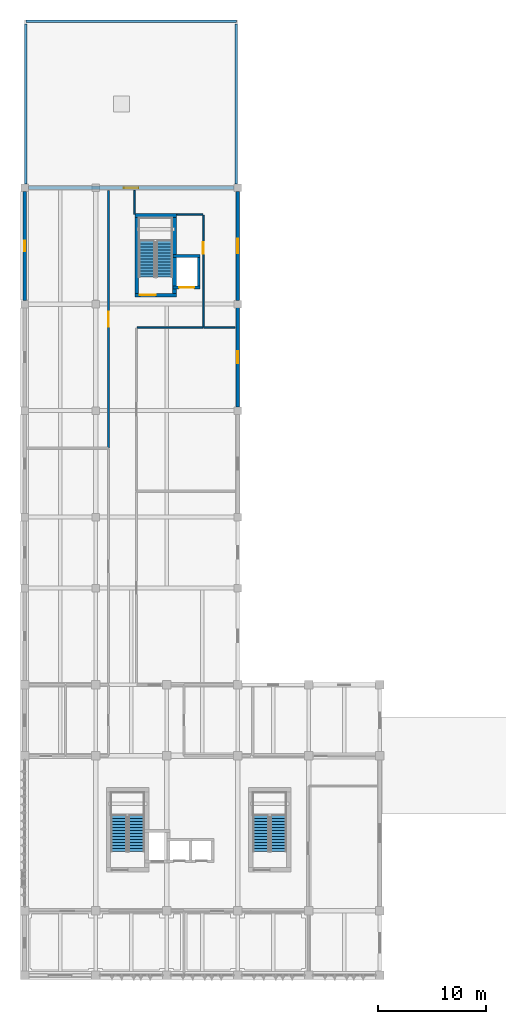
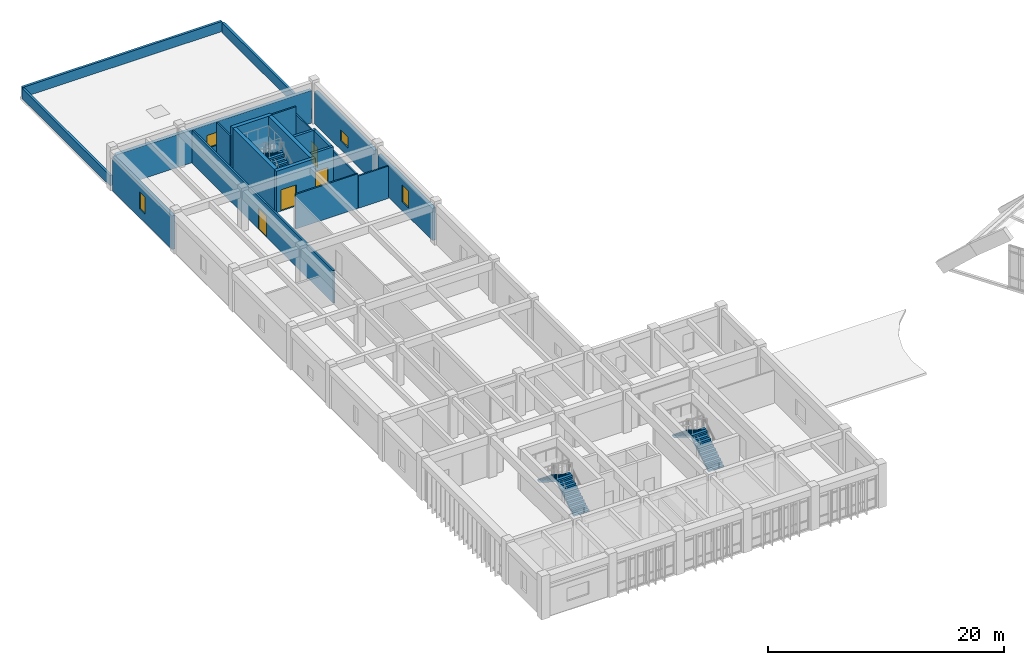
# One storey, part 31 of 34: 20 walls, 6 stair flights, 4 doors, 4 windows, 8 openings, 3 elements without a shape of their own.
"""IFC4 building model written with IfcOpenShell, lengths in metres."""

import ifcopenshell
import ifcopenshell.guid

model = None  # the IFC model being written
_history = None  # IfcOwnerHistory: only IFC2X3 demands one
_inside = {}  # id of a spatial element -> (the spatial element, [elements in it])
_under = {}  # id of a project, library or spatial element -> (it, [spatial elements below it])
_declared = {}  # id of a project -> (the project, [libraries it declares])
_typed = {}  # id of a type object -> (the type object, [elements of that type])
_made_of = {}  # id of a material, layer set ... -> (it, [elements and type objects made of it])


def new_model(schema):
    """Start an empty IFC model of exactly this schema.

    Asked for "IFC4X3", IfcOpenShell would pick the latest addendum, in which some entities
    have other attributes; the version numbers below select the first issue.
    IFC2X3 requires an IfcOwnerHistory on every rooted entity: one is made here for all.
    """
    global model, _history
    if schema == "IFC4X3":
        model = ifcopenshell.file(schema_version=(4, 3, 0, 0))
    else:
        model = ifcopenshell.file(schema=schema)
    _inside.clear()
    _under.clear()
    _declared.clear()
    _typed.clear()
    _made_of.clear()
    _history = None
    if model.schema == "IFC2X3":
        org = make("IfcOrganization", Name="unknown")
        user = make(
            "IfcPersonAndOrganization",
            ThePerson=make("IfcPerson", FamilyName="unknown"),
            TheOrganization=org,
        )
        app = make(
            "IfcApplication",
            ApplicationDeveloper=org,
            Version="unknown",
            ApplicationFullName="unknown",
            ApplicationIdentifier="unknown",
        )
        _history = make(
            "IfcOwnerHistory",
            OwningUser=user,
            OwningApplication=app,
            ChangeAction="ADDED",
            CreationDate=0,
        )
    return model


def make(cls, **values):
    """One entity of the class cls with the attributes given. An attribute that is None is left unset."""
    return model.create_entity(
        cls, **{name: value for name, value in values.items() if value is not None}
    )


def rooted(cls, **values):
    """An entity with a GlobalId (a new one), such as an element, a storey or a relation."""
    return make(cls, GlobalId=ifcopenshell.guid.new(), OwnerHistory=_history, **values)


def si_unit(unit_type, name, prefix=None):
    """IfcSIUnit, for example si_unit("LENGTHUNIT", "METRE", prefix="MILLI")."""
    return make("IfcSIUnit", UnitType=unit_type, Prefix=prefix, Name=name)


def assignment(units):
    """IfcUnitAssignment: the units of a project."""
    return None if units is None else make("IfcUnitAssignment", Units=units)


def point(xyz):
    """IfcCartesianPoint."""
    return None if xyz is None else make("IfcCartesianPoint", Coordinates=xyz)


def direction(xyz):
    """IfcDirection."""
    return None if xyz is None else make("IfcDirection", DirectionRatios=xyz)


def frame(location, z_axis=None, x_axis=None):
    """IfcAxis2Placement3D, a coordinate frame: its origin and axes. An axis left out is left unset."""
    return make(
        "IfcAxis2Placement3D",
        Location=point(location),
        Axis=direction(z_axis),
        RefDirection=direction(x_axis),
    )


def frame_2d(location, x_axis=None):
    """IfcAxis2Placement2D, a coordinate frame in the plane: its origin and x axis."""
    return make(
        "IfcAxis2Placement2D", Location=point(location), RefDirection=direction(x_axis)
    )


def origin():
    """The frame at (0, 0, 0) with its axes left unset."""
    return frame((0.0, 0.0, 0.0))


def place(relative_to, where):
    """IfcLocalPlacement: puts the frame where relative to a parent placement (None: the world)."""
    return make(
        "IfcLocalPlacement", PlacementRelTo=relative_to, RelativePlacement=where
    )


def context(
    kind, dimensions, precision=None, world=None, true_north=None, identifier=None
):
    """IfcGeometricRepresentationContext, for example the 3D "Model" context."""
    return make(
        "IfcGeometricRepresentationContext",
        ContextIdentifier=identifier,
        ContextType=kind,
        CoordinateSpaceDimension=dimensions,
        Precision=precision,
        WorldCoordinateSystem=world,
        TrueNorth=true_north,
    )


def subcontext(parent, identifier, kind, view, scale=None):
    """IfcGeometricRepresentationSubContext, for example "Body" below "Model"."""
    return make(
        "IfcGeometricRepresentationSubContext",
        ContextIdentifier=identifier,
        ContextType=kind,
        ParentContext=parent,
        TargetScale=scale,
        TargetView=view,
    )


def project(units=None, contexts=None):
    """IfcProject with its units and contexts."""
    return rooted(
        "IfcProject",
        Name="project",
        RepresentationContexts=contexts,
        UnitsInContext=assignment(units),
    )


def spatial(cls, under=None, at=None, **own):
    """A site, building, storey or space (cls), placed at a placement, below another one or the project."""
    s = rooted(cls, ObjectPlacement=at, **own)
    if under is not None:
        _under.setdefault(under.id(), (under, []))[1].append(s)
    return s


def polyline(points):
    """IfcPolyline through the points."""
    return make("IfcPolyline", Points=[point(p) for p in points])


def profile(cls, at=None, kind="AREA", **sizes):
    """A parametric profile (cls). Its sizes go by their IFC names, for example OverallWidth=200.0."""
    return make(cls, ProfileType=kind, Position=at, **sizes)


def rectangle(**sizes):
    """IfcRectangleProfileDef."""
    return profile("IfcRectangleProfileDef", **sizes)


def outline(outer, holes=None, kind="AREA"):
    """IfcArbitraryClosedProfileDef: a profile drawn as a closed curve; with holes, ...WithVoids."""
    if holes is None:
        return make("IfcArbitraryClosedProfileDef", ProfileType=kind, OuterCurve=outer)
    return make(
        "IfcArbitraryProfileDefWithVoids",
        ProfileType=kind,
        OuterCurve=outer,
        InnerCurves=holes,
    )


def extrude(swept, where, along, depth):
    """IfcExtrudedAreaSolid: the profile swept, set in the frame where, extruded along a direction by depth."""
    return make(
        "IfcExtrudedAreaSolid",
        SweptArea=swept,
        Position=where,
        ExtrudedDirection=direction(along),
        Depth=depth,
    )


def shape(context_of_items, identifier, shape_type, items):
    """IfcShapeRepresentation: the items that make up one representation, for example the "Body"."""
    return make(
        "IfcShapeRepresentation",
        ContextOfItems=context_of_items,
        RepresentationIdentifier=identifier,
        RepresentationType=shape_type,
        Items=items,
    )


def material(Name=None, Category=None):
    """IfcMaterial."""
    return make("IfcMaterial", Name=Name, Category=Category)


def layer(
    of_material, thickness, ventilated=None, Name=None, Category=None, Priority=None
):
    """IfcMaterialLayer: one layer of a wall or slab, of a material (None: an air gap)."""
    return make(
        "IfcMaterialLayer",
        Material=of_material,
        LayerThickness=thickness,
        IsVentilated=ventilated,
        Name=Name,
        Category=Category,
        Priority=Priority,
    )


def layer_set(layers, Name=None):
    """IfcMaterialLayerSet."""
    return make("IfcMaterialLayerSet", MaterialLayers=layers, LayerSetName=Name)


def made_of(thing, what):
    """Note that an element or type object is made of a material, layer set ...; save() writes the relation."""
    if what is not None:
        _made_of.setdefault(what.id(), (what, []))[1].append(thing)
    return thing


def type_object(cls, material=None, **own):
    """A type object (cls), such as IfcWallType, which elements share."""
    return made_of(rooted(cls, **own), material)


def element(
    cls,
    number,
    at=None,
    inside=None,
    cuts=None,
    type_object=None,
    material=None,
    context=None,
    identifier="Body",
    shape_type=None,
    held_by="IfcProductDefinitionShape",
    body=None,
    shapes=None,
    **own,
):
    """One element of the class cls, such as IfcWall. Its Tag is "e" and its number.

    at: its placement. inside: the storey or other place that contains it. cuts: it is an
    opening in that element (IfcRelVoidsElement). A single representation is given by context,
    identifier, shape_type and body (its items); several are given by shapes. held_by: the class
    of the entity that holds the representations. save() writes the other relations.
    """
    e = rooted(cls, Tag="e%d" % number, ObjectPlacement=at, **own)
    if body is not None:
        shapes = [shape(context, identifier, shape_type, body)]
    if shapes is not None:
        e.Representation = make(held_by, Representations=shapes)
    if inside is not None:
        _inside.setdefault(inside.id(), (inside, []))[1].append(e)
    if cuts is not None:
        rooted(
            "IfcRelVoidsElement", RelatingBuildingElement=cuts, RelatedOpeningElement=e
        )
    if type_object is not None:
        _typed.setdefault(type_object.id(), (type_object, []))[1].append(e)
    return made_of(e, material)


def fill(opening, filler):
    """IfcRelFillsElement: the door or window that sits in an opening."""
    return rooted(
        "IfcRelFillsElement",
        RelatingOpeningElement=opening,
        RelatedBuildingElement=filler,
    )


def aggregate(whole, parts):
    """IfcRelAggregates: a whole, such as a stair, and the parts it consists of."""
    return rooted("IfcRelAggregates", RelatingObject=whole, RelatedObjects=parts)


def save(model, path):
    """Write the relations noted so far, then the file.

    IfcRelAggregates (storeys below a building ...), IfcRelContainedInSpatialStructure (elements
    in a storey), IfcRelDefinesByType, IfcRelAssociatesMaterial and IfcRelDeclares: one each for
    every whole, place, type object, material and project.
    """
    for whole, parts in _under.values():
        aggregate(whole, parts)
    for where, things in _inside.values():
        rooted(
            "IfcRelContainedInSpatialStructure",
            RelatedElements=things,
            RelatingStructure=where,
        )
    for kind, things in _typed.values():
        rooted("IfcRelDefinesByType", RelatedObjects=things, RelatingType=kind)
    for what, things in _made_of.values():
        rooted("IfcRelAssociatesMaterial", RelatedObjects=things, RelatingMaterial=what)
    for by, libraries in _declared.values():
        rooted("IfcRelDeclares", RelatingContext=by, RelatedDefinitions=libraries)
    model.write(path)


model = new_model("IFC4")

# Units and contexts
model_context = context("Model", 3, precision=1e-05, world=origin(), true_north=direction((0.0, 1.0)))
body_context = subcontext(model_context, "Body", "Model", "MODEL_VIEW")
ifc_project = project(units=[si_unit("LENGTHUNIT", "METRE"), si_unit("AREAUNIT", "SQUARE_METRE"), si_unit("VOLUMEUNIT", "CUBIC_METRE"), si_unit("PLANEANGLEUNIT", "RADIAN"), si_unit("MASSUNIT", "GRAM", prefix="KILO")], contexts=[model_context])

# Site, building, storey
site_placement = place(None, origin())
site = spatial("IfcSite", under=ifc_project, at=site_placement, CompositionType="ELEMENT")
building_placement = place(site_placement, origin())
building = spatial("IfcBuilding", under=site, at=building_placement, Name="Miralva Faculty of Natural Sciences", CompositionType="ELEMENT")
storey_placement = place(building_placement, frame((0.0, 0.0, 24.0)))
storey = spatial("IfcBuildingStorey", under=building, at=storey_placement, Name="L05", CompositionType="ELEMENT", Elevation=24.0)

# Wall, opening, door
ifc_material_1 = material(Name="Concrete C50/60", Category="concrete")
ifc_layer_1 = layer(ifc_material_1, 0.35009765625, Name="WL-CW02")
ifc_layer_set_1 = layer_set([ifc_layer_1], Name="Concrete C50/60")
wall_type_1 = type_object("IfcWallType", Name="WL-CW02", PredefinedType="SHEAR", material=ifc_layer_set_1)
wall_1_placement = place(storey_placement, frame((13.25, 66.22509765625, 0.0), z_axis=(0.0, 0.0, 1.0), x_axis=(1.0, 0.0, 0.0)))
wall_1 = element("IfcWall", 1, at=wall_1_placement, inside=storey, type_object=wall_type_1, Name="Core C2 shear wall south L05", PredefinedType="SHEAR", context=body_context, shape_type="SweptSolid", body=[
    extrude(rectangle(XDim=3.85009765625, YDim=0.35009765625, at=frame_2d((1.925048828125, 0.0))), origin(), (0.0, 0.0, 1.0), 4.280029296875),
])
opening_1_placement = place(wall_1_placement, frame((0.449951171875, 0.0, 0.0)))
opening_1 = element("IfcOpeningElement", 2, at=opening_1_placement, cuts=wall_1, Name="Opening D-11", PredefinedType="OPENING", context=body_context, shape_type="SweptSolid", body=[
    extrude(rectangle(XDim=1.5, YDim=2.199951171875, at=frame_2d((0.75, 1.10009765625))), frame((0.0, 0.18505859375, 0.0), z_axis=(0.0, -1.0, 0.0), x_axis=(1.0, 0.0, 0.0)), (0.0, 0.0, 1.0), 0.3701171875),
])
ifc_material_2 = material(Name="Galvanised steel", Category="steel")
door_type_1 = type_object("IfcDoorType", Name="DR-DI11", OperationType="DOUBLE_DOOR_SINGLE_SWING", PredefinedType="DOOR", material=ifc_material_2)
door_1_placement = place(opening_1_placement, frame((1.5, 0.0, 0.0), z_axis=(0.0, 0.0, 1.0), x_axis=(-1.0, 0.0, 0.0)))
door_1 = element("IfcDoor", 3, at=door_1_placement, inside=storey, type_object=door_type_1, Name="Protected exit stair door Core C2 L05", OperationType="DOUBLE_DOOR_SINGLE_SWING", OverallHeight=2.199951171875, OverallWidth=1.5, PredefinedType="DOOR", context=body_context, shape_type="SweptSolid", body=[
    extrude(rectangle(XDim=1.5, YDim=2.199951171875, at=frame_2d((0.75, 1.10009765625))), frame((0.0, 0.02490234375, 0.0), z_axis=(0.0, -1.0, 0.0), x_axis=(1.0, 0.0, 0.0)), (0.0, 0.0, 1.0), 0.050048828125),
])
fill(opening_1, door_1)

# Walls
wall_2_placement = place(storey_placement, frame((13.25, 73.625, 0.0), z_axis=(0.0, 0.0, 1.0), x_axis=(1.0, 0.0, 0.0)))
element("IfcWall", 4, at=wall_2_placement, inside=storey, type_object=wall_type_1, Name="Core C2 shear wall north L05", PredefinedType="SHEAR", context=body_context, shape_type="SweptSolid", body=[
    extrude(rectangle(XDim=3.85009765625, YDim=0.35009765625, at=frame_2d((1.925048828125, 0.0))), origin(), (0.0, 0.0, 1.0), 4.280029296875),
])
for number, where, z_axis, x_axis, name in (
    (5, (13.425048828125, 66.39990234375, 0.0), (0.0, 0.0, 1.0), (0.0, 1.0, 0.0), "Core C2 shear wall west L05"),
    (6, (16.925048828125, 66.39990234375, 0.0), (0.0, 0.0, 1.0), (0.0, 1.0, 0.0), "Core C2 shear wall east L05"),
):
    element("IfcWall", number, at=place(storey_placement, frame(where, z_axis=z_axis, x_axis=x_axis)), inside=storey, type_object=wall_type_1, Name=name, PredefinedType="SHEAR", context=body_context, shape_type="SweptSolid", body=[
        extrude(rectangle(XDim=7.050048828125, YDim=0.35009765625, at=frame_2d((3.52490234375, 0.0))), origin(), (0.0, 0.0, 1.0), 4.280029296875),
    ])

# Wall, opening, door
ifc_material_3 = material(Name="Concrete C40/50", Category="concrete")
ifc_layer_2 = layer(ifc_material_3, 0.25, Name="WL-CW04")
ifc_layer_set_2 = layer_set([ifc_layer_2], Name="Concrete C40/50")
wall_type_2 = type_object("IfcWallType", Name="WL-CW04", PredefinedType="SHEAR", material=ifc_layer_set_2)
wall_3_placement = place(storey_placement, frame((16.804931640625, 66.929931640625, 0.0), z_axis=(0.0, 0.0, 1.0), x_axis=(1.0, 0.0, 0.0)))
wall_3 = element("IfcWall", 7, at=wall_3_placement, inside=storey, type_object=wall_type_2, Name="Lift L-04 hoistway front wall L05", PredefinedType="SHEAR", context=body_context, shape_type="SweptSolid", body=[
    extrude(rectangle(XDim=2.489990234375, YDim=0.25, at=frame_2d((1.2451171875, 0.0))), origin(), (0.0, 0.0, 1.0), 4.260009765625),
])
opening_2_placement = place(wall_3_placement, frame((0.544921875, 0.0, 0.0)))
opening_2 = element("IfcOpeningElement", 8, at=opening_2_placement, cuts=wall_3, Name="Opening LD-04", PredefinedType="OPENING", context=body_context, shape_type="SweptSolid", body=[
    extrude(rectangle(XDim=1.39990234375, YDim=2.300048828125, at=frame_2d((0.699951171875, 1.14990234375))), frame((0.0, 0.135009765625, 0.0), z_axis=(0.0, -1.0, 0.0), x_axis=(1.0, 0.0, 0.0)), (0.0, 0.0, 1.0), 0.27001953125),
])
door_type_2 = type_object("IfcDoorType", Name="DR-LD04", OperationType="DOUBLE_DOOR_SLIDING", PredefinedType="DOOR", material=ifc_material_2)
door_2_placement = place(opening_2_placement, frame((1.39990234375, 0.0, 0.0), z_axis=(0.0, 0.0, 1.0), x_axis=(-1.0, 0.0, 0.0)))
door_2 = element("IfcDoor", 9, at=door_2_placement, inside=storey, type_object=door_type_2, Name="Lift L-04 sliding landing door L05", OperationType="DOUBLE_DOOR_SLIDING", OverallHeight=2.300048828125, OverallWidth=1.39990234375, PredefinedType="DOOR", context=body_context, shape_type="SweptSolid", body=[
    extrude(rectangle(XDim=1.39990234375, YDim=2.300048828125, at=frame_2d((0.699951171875, 1.14990234375))), frame((0.0, 0.02490234375, 0.0), z_axis=(0.0, -1.0, 0.0), x_axis=(1.0, 0.0, 0.0)), (0.0, 0.0, 1.0), 0.050048828125),
])
fill(opening_2, door_2)

# Walls
wall_4_placement = place(storey_placement, frame((16.804931640625, 69.8701171875, 0.0), z_axis=(0.0, 0.0, 1.0), x_axis=(1.0, 0.0, 0.0)))
element("IfcWall", 10, at=wall_4_placement, inside=storey, type_object=wall_type_2, Name="Lift L-04 hoistway rear wall L05", PredefinedType="SHEAR", context=body_context, shape_type="SweptSolid", body=[
    extrude(rectangle(XDim=2.489990234375, YDim=0.25, at=frame_2d((1.2451171875, 0.0))), origin(), (0.0, 0.0, 1.0), 4.260009765625),
])
wall_5_placement = place(storey_placement, frame((19.169921875, 67.054931640625, 0.0), z_axis=(0.0, 0.0, 1.0), x_axis=(0.0, 1.0, 0.0)))
element("IfcWall", 11, at=wall_5_placement, inside=storey, type_object=wall_type_2, Name="Lift L-04 hoistway E wall L05", PredefinedType="SHEAR", context=body_context, shape_type="SweptSolid", body=[
    extrude(rectangle(XDim=2.690185546875, YDim=0.25, at=frame_2d((1.34521484375, 0.0))), origin(), (0.0, 0.0, 1.0), 4.260009765625),
])
ifc_material_4 = material(Name="Precast concrete C40/50", Category="concrete")
ifc_layer_3 = layer(ifc_material_4, 0.22998046875, Name="WL-PA01")
ifc_layer_set_3 = layer_set([ifc_layer_3], Name="Precast concrete C40/50")
wall_type_3 = type_object("IfcWallType", Name="WL-PA01", PredefinedType="PARAPET", material=ifc_layer_set_3)
wall_6_placement = place(storey_placement, frame((3.1201171875, 76.550048828125, 0.0), z_axis=(0.0, 0.0, 1.0), x_axis=(0.0, 1.0, 0.0)))
element("IfcWall", 12, at=wall_6_placement, inside=storey, type_object=wall_type_3, Name="Roof parapet L05-10", PredefinedType="PARAPET", context=body_context, shape_type="SweptSolid", body=[
    extrude(rectangle(XDim=14.89990234375, YDim=0.22998046875, at=frame_2d((7.449951171875, 0.0))), origin(), (0.0, 0.0, 1.0), 1.050048828125),
])
wall_7_placement = place(storey_placement, frame((3.1201171875, 91.679931640625, 0.0), z_axis=(0.0, 0.0, 1.0), x_axis=(1.0, 0.0, 0.0)))
element("IfcWall", 13, at=wall_7_placement, inside=storey, type_object=wall_type_3, Name="Roof parapet L05-11", PredefinedType="PARAPET", context=body_context, shape_type="SweptSolid", body=[
    extrude(rectangle(XDim=19.559814453125, YDim=0.22998046875, at=frame_2d((9.77978515625, 0.0))), origin(), (0.0, 0.0, 1.0), 1.050048828125),
])
wall_8_placement = place(storey_placement, frame((22.679931640625, 76.550048828125, 0.0), z_axis=(0.0, 0.0, 1.0), x_axis=(0.0, 1.0, 0.0)))
element("IfcWall", 14, at=wall_8_placement, inside=storey, type_object=wall_type_3, Name="Roof parapet L05-12", PredefinedType="PARAPET", context=body_context, shape_type="SweptSolid", body=[
    extrude(rectangle(XDim=14.89990234375, YDim=0.22998046875, at=frame_2d((7.449951171875, 0.0))), origin(), (0.0, 0.0, 1.0), 1.050048828125),
])

# Wall, opening, door
ifc_material_5 = material(Name="Gypsum plasterboard")
ifc_layer_4 = layer(ifc_material_5, 0.179931640625, Name="WL-PT02")
ifc_layer_set_4 = layer_set([ifc_layer_4], Name="Gypsum plasterboard")
wall_type_4 = type_object("IfcWallType", Name="WL-PT02", PredefinedType="PARTITIONING", material=ifc_layer_set_4)
wall_9_placement = place(storey_placement, frame((10.800048828125, 52.030029296875, 0.0), z_axis=(0.0, 0.0, 1.0), x_axis=(0.0, 1.0, 0.0)))
wall_9 = element("IfcWall", 15, at=wall_9_placement, inside=storey, type_object=wall_type_4, Name="Interior partition PT-02 L05-481", PredefinedType="PARTITIONING", context=body_context, shape_type="SweptSolid", body=[
    extrude(rectangle(XDim=23.93994140625, YDim=0.179931640625, at=frame_2d((11.969970703125, 0.0))), origin(), (0.0, 0.0, 1.0), 3.39501953125),
])
opening_3_placement = place(wall_9_placement, frame((11.27001953125, 0.0, 0.0)))
opening_3 = element("IfcOpeningElement", 16, at=opening_3_placement, cuts=wall_9, Name="Opening D-14", PredefinedType="OPENING", context=body_context, shape_type="SweptSolid", body=[
    extrude(rectangle(XDim=1.39990234375, YDim=2.199951171875, at=frame_2d((0.699951171875, 1.10009765625))), frame((0.0, 0.099853515625, 0.0), z_axis=(0.0, -1.0, 0.0), x_axis=(1.0, 0.0, 0.0)), (0.0, 0.0, 1.0), 0.199951171875),
])
door_type_3 = type_object("IfcDoorType", Name="DR-DI14", OperationType="DOUBLE_DOOR_SINGLE_SWING", PredefinedType="DOOR", material=ifc_material_2)
door_3_placement = place(opening_3_placement, origin())
door_3 = element("IfcDoor", 17, at=door_3_placement, inside=storey, type_object=door_type_3, Name="Interior door D-14 L05-178", OperationType="DOUBLE_DOOR_SINGLE_SWING", OverallHeight=2.199951171875, OverallWidth=1.39990234375, PredefinedType="DOOR", context=body_context, shape_type="SweptSolid", body=[
    extrude(rectangle(XDim=1.39990234375, YDim=2.199951171875, at=frame_2d((0.699951171875, 1.10009765625))), frame((0.0, 0.02490234375, 0.0), z_axis=(0.0, -1.0, 0.0), x_axis=(1.0, 0.0, 0.0)), (0.0, 0.0, 1.0), 0.050048828125),
])
fill(opening_3, door_3)

# Walls
ifc_layer_5 = layer(ifc_material_5, 0.139892578125, Name="WL-PT04")
ifc_layer_set_5 = layer_set([ifc_layer_5], Name="Gypsum plasterboard")
wall_type_5 = type_object("IfcWallType", Name="WL-PT04", PredefinedType="PARTITIONING", material=ifc_layer_set_5)
wall_10_placement = place(storey_placement, frame((19.6298828125, 63.199951171875, 0.0), z_axis=(0.0, 0.0, 1.0), x_axis=(1.0, 0.0, 0.0)))
element("IfcWall", 18, at=wall_10_placement, inside=storey, type_object=wall_type_5, Name="Interior partition PT-04 L05-482", PredefinedType="PARTITIONING", context=body_context, shape_type="SweptSolid", body=[
    extrude(rectangle(XDim=2.940185546875, YDim=0.139892578125, at=frame_2d((1.47021484375, 0.0))), origin(), (0.0, 0.0, 1.0), 3.344970703125),
])
wall_11_placement = place(storey_placement, frame((13.455078125, 63.199951171875, 0.0), z_axis=(0.0, 0.0, 1.0), x_axis=(1.0, 0.0, 0.0)))
element("IfcWall", 19, at=wall_11_placement, inside=storey, type_object=wall_type_5, Name="Interior partition PT-04 L05-484", PredefinedType="PARTITIONING", context=body_context, shape_type="SweptSolid", body=[
    extrude(rectangle(XDim=6.114990234375, YDim=0.139892578125, at=frame_2d((3.0576171875, 0.0))), origin(), (0.0, 0.0, 1.0), 3.594970703125),
])
wall_12_placement = place(storey_placement, frame((13.199951171875, 73.72998046875, 0.0), z_axis=(0.0, 0.0, 1.0), x_axis=(0.0, 1.0, 0.0)))
element("IfcWall", 20, at=wall_12_placement, inside=storey, type_object=wall_type_5, Name="Interior partition PT-04 L05-485", PredefinedType="PARTITIONING", context=body_context, shape_type="SweptSolid", body=[
    extrude(rectangle(XDim=2.239990234375, YDim=0.139892578125, at=frame_2d((1.1201171875, 0.0))), origin(), (0.0, 0.0, 1.0), 3.39501953125),
])

# Wall, opening, door
wall_13_placement = place(storey_placement, frame((19.60009765625, 63.22998046875, 0.0), z_axis=(0.0, 0.0, 1.0), x_axis=(0.0, 1.0, 0.0)))
wall_13 = element("IfcWall", 21, at=wall_13_placement, inside=storey, type_object=wall_type_5, Name="Interior partition PT-04 L05-486", PredefinedType="PARTITIONING", context=body_context, shape_type="SweptSolid", body=[
    extrude(rectangle(XDim=10.43994140625, YDim=0.139892578125, at=frame_2d((5.219970703125, 0.0))), origin(), (0.0, 0.0, 1.0), 3.39501953125),
])
opening_4_placement = place(wall_13_placement, frame((6.840087890625, 0.0, 0.0)))
opening_4 = element("IfcOpeningElement", 22, at=opening_4_placement, cuts=wall_13, Name="Opening D-32", PredefinedType="OPENING", context=body_context, shape_type="SweptSolid", body=[
    extrude(rectangle(XDim=1.080078125, YDim=2.14990234375, at=frame_2d((0.5400390625, 1.074951171875))), frame((0.0, 0.079833984375, 0.0), z_axis=(0.0, -1.0, 0.0), x_axis=(1.0, 0.0, 0.0)), (0.0, 0.0, 1.0), 0.159912109375),
])
ifc_material_6 = material(Name="Anodised aluminium", Category="aluminium")
door_type_4 = type_object("IfcDoorType", Name="DR-DI32", OperationType="NOTDEFINED", PredefinedType="DOOR", material=ifc_material_6)
door_4_placement = place(opening_4_placement, origin())
door_4 = element("IfcDoor", 23, at=door_4_placement, inside=storey, type_object=door_type_4, Name="Interior door D-32 L05-180", OperationType="SINGLE_SWING_LEFT", OverallHeight=2.14990234375, OverallWidth=1.080078125, PredefinedType="DOOR", context=body_context, shape_type="SweptSolid", body=[
    extrude(rectangle(XDim=1.080078125, YDim=2.14990234375, at=frame_2d((0.5400390625, 1.074951171875))), frame((0.0, 0.02490234375, 0.0), z_axis=(0.0, -1.0, 0.0), x_axis=(1.0, 0.0, 0.0)), (0.0, 0.0, 1.0), 0.050048828125),
])
fill(opening_4, door_4)

# Wall
wall_14_placement = place(storey_placement, frame((17.140380859375, 73.699951171875, 0.0), z_axis=(0.0, 0.0, 1.0), x_axis=(1.0, 0.0, 0.0)))
element("IfcWall", 24, at=wall_14_placement, inside=storey, type_object=wall_type_5, Name="Interior partition PT-04 L05-487", PredefinedType="PARTITIONING", context=body_context, shape_type="SweptSolid", body=[
    extrude(rectangle(XDim=2.4296875, YDim=0.139892578125, at=frame_2d((1.21484375, 0.0))), origin(), (0.0, 0.0, 1.0), 4.179931640625),
])

# Wall, opening, window
ifc_layer_6 = layer(ifc_material_4, 0.320068359375, Name="WL-WT02")
ifc_layer_set_6 = layer_set([ifc_layer_6], Name="Precast concrete C40/50")
wall_type_6 = type_object("IfcWallType", Name="WL-WT02", PredefinedType="SOLIDWALL", material=ifc_layer_set_6)
wall_15_placement = place(storey_placement, frame((3.0, 65.735107421875, 0.0), z_axis=(0.0, 0.0, 1.0), x_axis=(0.0, 1.0, 0.0)))
wall_15 = element("IfcWall", 25, at=wall_15_placement, inside=storey, type_object=wall_type_6, Name="Exterior wall L05-273", PredefinedType="SOLIDWALL", context=body_context, shape_type="SweptSolid", body=[
    extrude(rectangle(XDim=10.1298828125, YDim=0.320068359375, at=frame_2d((5.06494140625, 0.0))), origin(), (0.0, 0.0, 1.0), 3.4951171875),
])
opening_5_placement = place(wall_15_placement, frame((4.590087890625, 0.0, 0.89990234375)))
opening_5 = element("IfcOpeningElement", 26, at=opening_5_placement, cuts=wall_15, Name="Opening W-48", PredefinedType="OPENING", context=body_context, shape_type="SweptSolid", body=[
    extrude(rectangle(XDim=0.949951171875, YDim=1.75, at=frame_2d((0.47509765625, 0.875))), frame((0.0, 0.169921875, 0.0), z_axis=(0.0, -1.0, 0.0), x_axis=(1.0, 0.0, 0.0)), (0.0, 0.0, 1.0), 0.340087890625),
])
ifc_material_7 = material(Name="Laminated solar-control glass", Category="glass")
window_type_1 = type_object("IfcWindowType", Name="WN-W48", PartitioningType="DOUBLE_PANEL_VERTICAL", PredefinedType="WINDOW", material=ifc_material_7)
window_1_placement = place(opening_5_placement, origin())
window_1 = element("IfcWindow", 27, at=window_1_placement, inside=storey, type_object=window_type_1, Name="Window W-48 L05-210", OverallHeight=1.75, OverallWidth=0.949951171875, PartitioningType="DOUBLE_PANEL_VERTICAL", PredefinedType="WINDOW", context=body_context, shape_type="SweptSolid", body=[
    extrude(rectangle(XDim=0.949951171875, YDim=1.75, at=frame_2d((0.47509765625, 0.875))), frame((0.0, 0.030029296875, 0.0), z_axis=(0.0, -1.0, 0.0), x_axis=(1.0, 0.0, 0.0)), (0.0, 0.0, 1.0), 0.06005859375),
])
fill(opening_5, window_1)

wall_16_placement = place(storey_placement, frame((22.800048828125, 55.8349609375, 0.0), z_axis=(0.0, 0.0, 1.0), x_axis=(0.0, 1.0, 0.0)))
wall_16 = element("IfcWall", 28, at=wall_16_placement, inside=storey, type_object=wall_type_6, Name="Exterior wall L05-277", PredefinedType="SOLIDWALL", context=body_context, shape_type="SweptSolid", body=[
    extrude(rectangle(XDim=9.22998046875, YDim=0.320068359375, at=frame_2d((4.614990234375, 0.0))), origin(), (0.0, 0.0, 1.0), 3.344970703125),
])
opening_6_placement = place(wall_16_placement, frame((4.0400390625, 0.0, 0.89990234375)))
opening_6 = element("IfcOpeningElement", 29, at=opening_6_placement, cuts=wall_16, Name="Opening W-52", PredefinedType="OPENING", context=body_context, shape_type="SweptSolid", body=[
    extrude(rectangle(XDim=1.14990234375, YDim=1.75, at=frame_2d((0.574951171875, 0.875))), frame((0.0, 0.169921875, 0.0), z_axis=(0.0, -1.0, 0.0), x_axis=(1.0, 0.0, 0.0)), (0.0, 0.0, 1.0), 0.340087890625),
])
window_type_2 = type_object("IfcWindowType", Name="WN-W52", PartitioningType="DOUBLE_PANEL_VERTICAL", PredefinedType="WINDOW", material=ifc_material_7)
window_2_placement = place(opening_6_placement, frame((1.14990234375, 0.0, 0.0), z_axis=(0.0, 0.0, 1.0), x_axis=(-1.0, 0.0, 0.0)))
window_2 = element("IfcWindow", 30, at=window_2_placement, inside=storey, type_object=window_type_2, Name="Window W-52 L05-214", OverallHeight=1.75, OverallWidth=1.14990234375, PartitioningType="DOUBLE_PANEL_VERTICAL", PredefinedType="WINDOW", context=body_context, shape_type="SweptSolid", body=[
    extrude(rectangle(XDim=1.14990234375, YDim=1.75, at=frame_2d((0.574951171875, 0.875))), frame((0.0, 0.030029296875, 0.0), z_axis=(0.0, -1.0, 0.0), x_axis=(1.0, 0.0, 0.0)), (0.0, 0.0, 1.0), 0.06005859375),
])
fill(opening_6, window_2)

wall_17_placement = place(storey_placement, frame((22.800048828125, 65.735107421875, 0.0), z_axis=(0.0, 0.0, 1.0), x_axis=(0.0, 1.0, 0.0)))
wall_17 = element("IfcWall", 31, at=wall_17_placement, inside=storey, type_object=wall_type_6, Name="Exterior wall L05-278", PredefinedType="SOLIDWALL", context=body_context, shape_type="SweptSolid", body=[
    extrude(rectangle(XDim=10.1298828125, YDim=0.320068359375, at=frame_2d((5.06494140625, 0.0))), origin(), (0.0, 0.0, 1.0), 3.344970703125),
])
opening_7_placement = place(wall_17_placement, frame((4.389892578125, 0.0, 0.89990234375)))
opening_7 = element("IfcOpeningElement", 32, at=opening_7_placement, cuts=wall_17, Name="Opening W-53", PredefinedType="OPENING", context=body_context, shape_type="SweptSolid", body=[
    extrude(rectangle(XDim=1.35009765625, YDim=1.14990234375, at=frame_2d((0.675048828125, 0.574951171875))), frame((0.0, 0.169921875, 0.0), z_axis=(0.0, -1.0, 0.0), x_axis=(1.0, 0.0, 0.0)), (0.0, 0.0, 1.0), 0.340087890625),
])
window_type_3 = type_object("IfcWindowType", Name="WN-W53", PartitioningType="DOUBLE_PANEL_VERTICAL", PredefinedType="WINDOW", material=ifc_material_7)
window_3_placement = place(opening_7_placement, frame((1.35009765625, 0.0, 0.0), z_axis=(0.0, 0.0, 1.0), x_axis=(-1.0, 0.0, 0.0)))
window_3 = element("IfcWindow", 33, at=window_3_placement, inside=storey, type_object=window_type_3, Name="Window W-53 L05-215", OverallHeight=1.14990234375, OverallWidth=1.35009765625, PartitioningType="DOUBLE_PANEL_VERTICAL", PredefinedType="WINDOW", context=body_context, shape_type="SweptSolid", body=[
    extrude(rectangle(XDim=1.35009765625, YDim=1.14990234375, at=frame_2d((0.675048828125, 0.574951171875))), frame((0.0, 0.030029296875, 0.0), z_axis=(0.0, -1.0, 0.0), x_axis=(1.0, 0.0, 0.0)), (0.0, 0.0, 1.0), 0.06005859375),
])
fill(opening_7, window_3)

wall_18_placement = place(storey_placement, frame((3.3349609375, 76.199951171875, 0.0), z_axis=(0.0, 0.0, 1.0), x_axis=(1.0, 0.0, 0.0)))
wall_18 = element("IfcWall", 34, at=wall_18_placement, inside=storey, type_object=wall_type_6, Name="Exterior wall L05-279", PredefinedType="SOLIDWALL", context=body_context, shape_type="SweptSolid", body=[
    extrude(rectangle(XDim=19.130126953125, YDim=0.320068359375, at=frame_2d((9.56494140625, 0.0))), origin(), (0.0, 0.0, 1.0), 3.39501953125),
])
opening_8_placement = place(wall_18_placement, frame((8.889892578125, 0.0, 0.949951171875)))
opening_8 = element("IfcOpeningElement", 35, at=opening_8_placement, cuts=wall_18, Name="Opening W-54", PredefinedType="OPENING", context=body_context, shape_type="SweptSolid", body=[
    extrude(rectangle(XDim=1.35009765625, YDim=1.35009765625, at=frame_2d((0.675048828125, 0.675048828125))), frame((0.0, 0.169921875, 0.0), z_axis=(0.0, -1.0, 0.0), x_axis=(1.0, 0.0, 0.0)), (0.0, 0.0, 1.0), 0.340087890625),
])
window_type_4 = type_object("IfcWindowType", Name="WN-W54", PartitioningType="DOUBLE_PANEL_VERTICAL", PredefinedType="WINDOW", material=ifc_material_7)
window_4_placement = place(opening_8_placement, origin())
window_4 = element("IfcWindow", 36, at=window_4_placement, inside=storey, type_object=window_type_4, Name="Window W-54 L05-216", OverallHeight=1.35009765625, OverallWidth=1.35009765625, PartitioningType="DOUBLE_PANEL_VERTICAL", PredefinedType="WINDOW", context=body_context, shape_type="SweptSolid", body=[
    extrude(rectangle(XDim=1.35009765625, YDim=1.35009765625, at=frame_2d((0.675048828125, 0.675048828125))), frame((0.0, 0.030029296875, 0.0), z_axis=(0.0, -1.0, 0.0), x_axis=(1.0, 0.0, 0.0)), (0.0, 0.0, 1.0), 0.06005859375),
])
fill(opening_8, window_4)

# Stair, stair flights
stair_type = type_object("IfcStairType", Name="ST-CORE-450", PredefinedType="HALF_TURN_STAIR", material=ifc_material_3)
stair_1_placement = place(storey_placement, origin())
stair_1 = element("IfcStair", 37, at=stair_1_placement, inside=storey, type_object=stair_type, Name="Exit Stair Core C1 (ST-03) L05", PredefinedType="HALF_TURN_STAIR")
ifc_layer_7 = layer(ifc_material_3, 0.159912109375, Name="SFL-160-166")
ifc_layer_set_7 = layer_set([ifc_layer_7], Name="Concrete C40/50")
stair_flight_type = type_object("IfcStairFlightType", Name="SFL-160-166", PredefinedType="STRAIGHT", material=ifc_layer_set_7)
stair_flight_1_placement = place(storey_placement, frame((13.39990234375, 14.5, 0.0), z_axis=(0.0, 0.0, 1.0), x_axis=(0.0, 1.0, 0.0)))
stair_flight_1 = element("IfcStairFlight", 38, at=stair_flight_1_placement, type_object=stair_flight_type, Name="ST-03 flight 1", NumberOfRisers=13, NumberOfTreads=12, PredefinedType="STRAIGHT", RiserHeight=0.173076923, TreadLength=0.28, context=body_context, shape_type="SweptSolid", body=[
    extrude(outline(polyline([(0.0, 0.0), (0.0, 0.173095703125), (0.280029296875, 0.173095703125), (0.280029296875, 0.34619140625), (0.56005859375, 0.34619140625), (0.56005859375, 0.519287109375), (0.840087890625, 0.519287109375), (0.840087890625, 0.6923828125), (1.1201171875, 0.6923828125), (1.1201171875, 0.865478515625), (1.39990234375, 0.865478515625), (1.39990234375, 1.03857421875), (1.679931640625, 1.03857421875), (1.679931640625, 1.21142578125), (1.9599609375, 1.21142578125), (1.9599609375, 1.384521484375), (2.239990234375, 1.384521484375), (2.239990234375, 1.5576171875), (2.52001953125, 1.5576171875), (2.52001953125, 1.730712890625), (2.800048828125, 1.730712890625), (2.800048828125, 1.90380859375), (3.080078125, 1.90380859375), (3.080078125, 2.076904296875), (3.360107421875, 2.076904296875), (3.360107421875, 2.25), (3.360107421875, 1.900634765625), (0.28515625, 0.0), (0.0, 0.0)])), frame((0.0, 0.75, 0.0), z_axis=(0.0, -1.0, 0.0), x_axis=(1.0, 0.0, 0.0)), (0.0, 0.0, 1.0), 1.5),
])
stair_flight_2_placement = place(storey_placement, frame((11.75, 17.860107421875, 2.25), z_axis=(0.0, 0.0, 1.0), x_axis=(0.0, -1.0, 0.0)))
stair_flight_2 = element("IfcStairFlight", 39, at=stair_flight_2_placement, type_object=stair_flight_type, Name="ST-03 flight 2", NumberOfRisers=13, NumberOfTreads=12, PredefinedType="STRAIGHT", RiserHeight=0.173076923, TreadLength=0.28, context=body_context, shape_type="SweptSolid", body=[
    extrude(outline(polyline([(0.0, 0.0), (0.0, 0.173095703125), (0.280029296875, 0.173095703125), (0.280029296875, 0.34619140625), (0.56005859375, 0.34619140625), (0.56005859375, 0.519287109375), (0.840087890625, 0.519287109375), (0.840087890625, 0.6923828125), (1.1201171875, 0.6923828125), (1.1201171875, 0.865478515625), (1.39990234375, 0.865478515625), (1.39990234375, 1.03857421875), (1.679931640625, 1.03857421875), (1.679931640625, 1.21142578125), (1.9599609375, 1.21142578125), (1.9599609375, 1.384521484375), (2.239990234375, 1.384521484375), (2.239990234375, 1.5576171875), (2.52001953125, 1.5576171875), (2.52001953125, 1.730712890625), (2.800048828125, 1.730712890625), (2.800048828125, 1.90380859375), (3.080078125, 1.90380859375), (3.080078125, 2.076904296875), (3.360107421875, 2.076904296875), (3.360107421875, 2.25), (3.360107421875, 1.900634765625), (0.28515625, 0.0), (0.0, 0.0)])), frame((0.0, 0.75, 0.0), z_axis=(0.0, -1.0, 0.0), x_axis=(1.0, 0.0, 0.0)), (0.0, 0.0, 1.0), 1.5),
])
aggregate(stair_1, [stair_flight_1, stair_flight_2])

stair_2_placement = place(storey_placement, origin())
stair_2 = element("IfcStair", 40, at=stair_2_placement, inside=storey, type_object=stair_type, Name="Exit Stair Core C1B (ST-03) L05", PredefinedType="HALF_TURN_STAIR")
stair_flight_3_placement = place(storey_placement, frame((26.60009765625, 14.5, 0.0), z_axis=(0.0, 0.0, 1.0), x_axis=(0.0, 1.0, 0.0)))
stair_flight_3 = element("IfcStairFlight", 41, at=stair_flight_3_placement, type_object=stair_flight_type, Name="ST-03 flight 1", NumberOfRisers=13, NumberOfTreads=12, PredefinedType="STRAIGHT", RiserHeight=0.173076923, TreadLength=0.28, context=body_context, shape_type="SweptSolid", body=[
    extrude(outline(polyline([(0.0, 0.0), (0.0, 0.173095703125), (0.280029296875, 0.173095703125), (0.280029296875, 0.34619140625), (0.56005859375, 0.34619140625), (0.56005859375, 0.519287109375), (0.840087890625, 0.519287109375), (0.840087890625, 0.6923828125), (1.1201171875, 0.6923828125), (1.1201171875, 0.865478515625), (1.39990234375, 0.865478515625), (1.39990234375, 1.03857421875), (1.679931640625, 1.03857421875), (1.679931640625, 1.21142578125), (1.9599609375, 1.21142578125), (1.9599609375, 1.384521484375), (2.239990234375, 1.384521484375), (2.239990234375, 1.5576171875), (2.52001953125, 1.5576171875), (2.52001953125, 1.730712890625), (2.800048828125, 1.730712890625), (2.800048828125, 1.90380859375), (3.080078125, 1.90380859375), (3.080078125, 2.076904296875), (3.360107421875, 2.076904296875), (3.360107421875, 2.25), (3.360107421875, 1.900634765625), (0.28515625, 0.0), (0.0, 0.0)])), frame((0.0, 0.75, 0.0), z_axis=(0.0, -1.0, 0.0), x_axis=(1.0, 0.0, 0.0)), (0.0, 0.0, 1.0), 1.5),
])
stair_flight_4_placement = place(storey_placement, frame((24.949951171875, 17.860107421875, 2.25), z_axis=(0.0, 0.0, 1.0), x_axis=(0.0, -1.0, 0.0)))
stair_flight_4 = element("IfcStairFlight", 42, at=stair_flight_4_placement, type_object=stair_flight_type, Name="ST-03 flight 2", NumberOfRisers=13, NumberOfTreads=12, PredefinedType="STRAIGHT", RiserHeight=0.173076923, TreadLength=0.28, context=body_context, shape_type="SweptSolid", body=[
    extrude(outline(polyline([(0.0, 0.0), (0.0, 0.173095703125), (0.280029296875, 0.173095703125), (0.280029296875, 0.34619140625), (0.56005859375, 0.34619140625), (0.56005859375, 0.519287109375), (0.840087890625, 0.519287109375), (0.840087890625, 0.6923828125), (1.1201171875, 0.6923828125), (1.1201171875, 0.865478515625), (1.39990234375, 0.865478515625), (1.39990234375, 1.03857421875), (1.679931640625, 1.03857421875), (1.679931640625, 1.21142578125), (1.9599609375, 1.21142578125), (1.9599609375, 1.384521484375), (2.239990234375, 1.384521484375), (2.239990234375, 1.5576171875), (2.52001953125, 1.5576171875), (2.52001953125, 1.730712890625), (2.800048828125, 1.730712890625), (2.800048828125, 1.90380859375), (3.080078125, 1.90380859375), (3.080078125, 2.076904296875), (3.360107421875, 2.076904296875), (3.360107421875, 2.25), (3.360107421875, 1.900634765625), (0.28515625, 0.0), (0.0, 0.0)])), frame((0.0, 0.75, 0.0), z_axis=(0.0, -1.0, 0.0), x_axis=(1.0, 0.0, 0.0)), (0.0, 0.0, 1.0), 1.5),
])
aggregate(stair_2, [stair_flight_3, stair_flight_4])

stair_3_placement = place(storey_placement, origin())
stair_3 = element("IfcStair", 43, at=stair_3_placement, inside=storey, type_object=stair_type, Name="Exit Stair Core C2 (ST-03) L05", PredefinedType="HALF_TURN_STAIR")
stair_flight_5_placement = place(storey_placement, frame((16.0, 67.89990234375, 0.0), z_axis=(0.0, 0.0, 1.0), x_axis=(0.0, 1.0, 0.0)))
stair_flight_5 = element("IfcStairFlight", 44, at=stair_flight_5_placement, type_object=stair_flight_type, Name="ST-03 flight 1", NumberOfRisers=13, NumberOfTreads=12, PredefinedType="STRAIGHT", RiserHeight=0.173076923, TreadLength=0.28, context=body_context, shape_type="SweptSolid", body=[
    extrude(outline(polyline([(0.0, 0.0), (0.0, 0.173095703125), (0.280029296875, 0.173095703125), (0.280029296875, 0.34619140625), (0.56005859375, 0.34619140625), (0.56005859375, 0.519287109375), (0.840087890625, 0.519287109375), (0.840087890625, 0.6923828125), (1.1201171875, 0.6923828125), (1.1201171875, 0.865478515625), (1.39990234375, 0.865478515625), (1.39990234375, 1.03857421875), (1.679931640625, 1.03857421875), (1.679931640625, 1.21142578125), (1.9599609375, 1.21142578125), (1.9599609375, 1.384521484375), (2.239990234375, 1.384521484375), (2.239990234375, 1.5576171875), (2.52001953125, 1.5576171875), (2.52001953125, 1.730712890625), (2.800048828125, 1.730712890625), (2.800048828125, 1.90380859375), (3.080078125, 1.90380859375), (3.080078125, 2.076904296875), (3.360107421875, 2.076904296875), (3.360107421875, 2.25), (3.360107421875, 1.900634765625), (0.28515625, 0.0), (0.0, 0.0)])), frame((0.0, 0.75, 0.0), z_axis=(0.0, -1.0, 0.0), x_axis=(1.0, 0.0, 0.0)), (0.0, 0.0, 1.0), 1.5),
])
stair_flight_6_placement = place(storey_placement, frame((14.35009765625, 71.260009765625, 2.25), z_axis=(0.0, 0.0, 1.0), x_axis=(0.0, -1.0, 0.0)))
stair_flight_6 = element("IfcStairFlight", 45, at=stair_flight_6_placement, type_object=stair_flight_type, Name="ST-03 flight 2", NumberOfRisers=13, NumberOfTreads=12, PredefinedType="STRAIGHT", RiserHeight=0.173076923, TreadLength=0.28, context=body_context, shape_type="SweptSolid", body=[
    extrude(outline(polyline([(0.0, 0.0), (0.0, 0.173095703125), (0.280029296875, 0.173095703125), (0.280029296875, 0.34619140625), (0.56005859375, 0.34619140625), (0.56005859375, 0.519287109375), (0.840087890625, 0.519287109375), (0.840087890625, 0.6923828125), (1.1201171875, 0.6923828125), (1.1201171875, 0.865478515625), (1.39990234375, 0.865478515625), (1.39990234375, 1.03857421875), (1.679931640625, 1.03857421875), (1.679931640625, 1.21142578125), (1.9599609375, 1.21142578125), (1.9599609375, 1.384521484375), (2.239990234375, 1.384521484375), (2.239990234375, 1.5576171875), (2.52001953125, 1.5576171875), (2.52001953125, 1.730712890625), (2.800048828125, 1.730712890625), (2.800048828125, 1.90380859375), (3.080078125, 1.90380859375), (3.080078125, 2.076904296875), (3.360107421875, 2.076904296875), (3.360107421875, 2.25), (3.360107421875, 1.900634765625), (0.28515625, 0.0), (0.0, 0.0)])), frame((0.0, 0.75, 0.0), z_axis=(0.0, -1.0, 0.0), x_axis=(1.0, 0.0, 0.0)), (0.0, 0.0, 1.0), 1.5),
])
aggregate(stair_3, [stair_flight_5, stair_flight_6])

save(model, "model.ifc")
